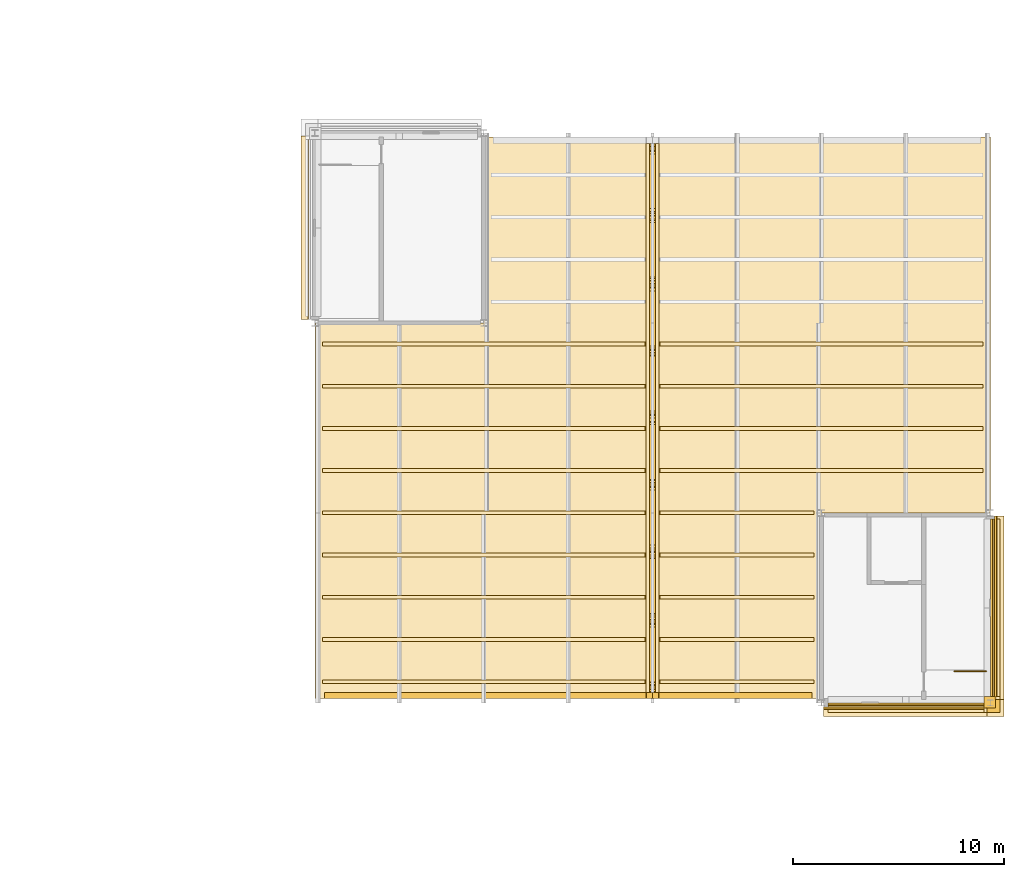
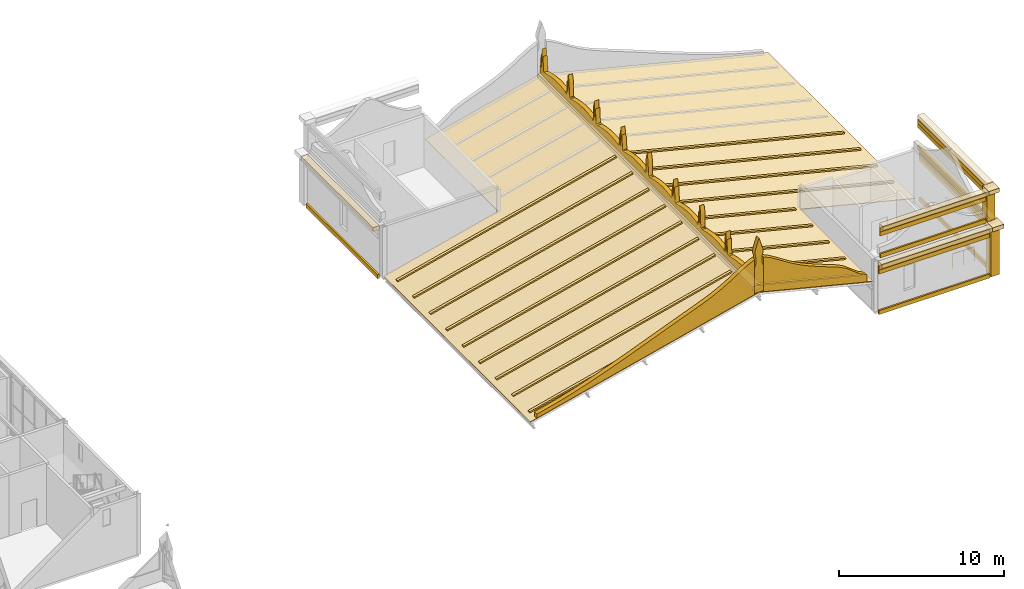
# One storey, part 106 of 111: 47 coverings, 1 railing.
"""IFC4 building model written with IfcOpenShell, lengths in metres."""

from ifc_helpers import new_model, si_unit, direction, frame, origin, origin_2d, place, context, subcontext, project, spatial, polyline, rectangle, circle, outline, extrude, material, layer, layer_set, type_object, element, save


model = new_model("IFC4")

# Units and contexts
model_context = context("Model", 3, precision=1e-05, world=origin(), true_north=direction((0.0, 1.0)))
body_context = subcontext(model_context, "Body", "Model", "MODEL_VIEW")
ifc_project = project(units=[si_unit("LENGTHUNIT", "METRE"), si_unit("AREAUNIT", "SQUARE_METRE"), si_unit("VOLUMEUNIT", "CUBIC_METRE"), si_unit("PLANEANGLEUNIT", "RADIAN"), si_unit("MASSUNIT", "GRAM", prefix="KILO")], contexts=[model_context])

# Site, building, storey
site_placement = place(None, origin())
site = spatial("IfcSite", under=ifc_project, at=site_placement, CompositionType="ELEMENT")
building_placement = place(site_placement, origin())
building = spatial("IfcBuilding", under=site, at=building_placement, Name="Kallimachos Central Library", CompositionType="ELEMENT")
storey_placement = place(building_placement, frame((0.0, 0.0, 14.39990234375)))
storey = spatial("IfcBuildingStorey", under=building, at=storey_placement, Name="L03", CompositionType="ELEMENT", Elevation=14.39990234375)

# Coverings
ifc_material_1 = material(Name="Glazed ceramic tile on stone", Category="masonry")
ifc_layer_1 = layer(ifc_material_1, 0.300048828125)
ifc_layer_set_1 = layer_set([ifc_layer_1], Name="Ceramic gable crest 300")
covering_type_1 = type_object("IfcCoveringType", Name="Ceramic gable crest 300", PredefinedType="CLADDING", material=ifc_layer_set_1)
covering_1_placement = place(storey_placement, frame((138.449951171875, 87.199951171875, 0.152587890625), z_axis=(0.0, -1.0, 0.0), x_axis=(0.97011354067, 0.0, 0.242651433562)))
element("IfcCovering", 1, at=covering_1_placement, inside=storey, type_object=covering_type_1, Name="Gable crest south west", PredefinedType="CLADDING", context=body_context, shape_type="SweptSolid", body=[
    extrude(outline(polyline([(0.0, 0.0), (0.49602562143692464, -1.3877787807814457e-17), (0.9922880869999893, -5.924107264693168e-05), (1.4882544673642668, -0.00029608519878693285), (1.9842800888011916, -0.00029608519878693285), (2.4803057102381163, -0.00029608519878687733), (2.976331331675041, -0.00029608519878698836), (3.4723569531119653, -0.00029608519878698836), (3.968560177602383, -0.0005921703975738657), (4.464585799039307, -0.0005921703975739767), (4.960611420476233, -0.0005921703975737547), (5.456873886039297, -0.0006514114702207419), (5.952840266403575, -0.0008882555963609651), (6.448865887840499, -0.000888255596360743), (6.944891509277424, -0.0008882555963609651), (7.4409171307143485, -0.0008882555963609651), (7.936942752151274, -0.0008882555963609651), (8.432968373588198, -0.0008882555963609651), (8.929171598078614, -0.0011843407951479534), (9.42519721951554, -0.0011843407951479534), (9.921222840952465, -0.0011843407951475093), (10.41748530651553, -0.0012435818677944965), (10.913510927952453, -0.0012435818677949406), (11.409477308316731, -0.0014804259939347197), (11.905502929753656, -0.0014804259939347197), (12.40152855119058, -0.0014804259939347197), (12.897554172627506, -0.0014804259939351638), (13.393520552991783, -0.001717270120074943), (13.889842259627494, -0.001539667066581707), (14.385808639991772, -0.0017765111927219301), (14.881834261428697, -0.0017765111927219301), (15.378096726991762, -0.0018357522653684732), (15.719340085664944, -0.0018764880130914818), (16.345577464615303, 2.501802769413191), (15.988990668126576, 2.440500876490646), (15.455702532159197, 2.2925325387257725), (14.913646597275633, 2.1085046527149673), (14.371649903464716, 1.924713610830302), (13.835577437082936, 1.7656135991368465), (13.307857841779922, 1.6389019916519292), (12.787247175194533, 1.540611679303816), (12.271435035493544, 1.4615057411730459), (11.758170261916373, 1.392584100466296), (11.245853345501551, 1.327451965777787), (10.733536429086731, 1.2623198310892785), (10.22080494532783, 1.1965364050949963), (9.707954859259184, 1.129272673271227), (9.194867808899952, 1.0610615649428974), (8.681366191196641, 0.9921991653087949), (8.16810141761947, 0.9232775246020455), (7.655014367260238, 0.8550664162737165), (7.142223522264241, 0.7880395285760871), (6.629847364776773, 0.7226705497614381), (6.1181228590884205, 0.6599068563343296), (5.607109246271831, 0.5999852924209015), (5.096747405418805, 0.5436756314722206), (4.587629506926914, 0.4913330795952735), (4.079755670960611, 0.44396425436726694), (3.5728890533937516, 0.40162839686084795), (3.0677995478418514, 0.3653912455614232), (2.5643687923240646, 0.3357857297939191), (2.0626560279130377, 0.3130486936844759), (1.5627204956814178, 0.29741698135923383), (1.0651546063556738, 0.29125903407959297), (0.5688328997199623, 0.2910814310260998), (0.07280727828303767, 0.29108143102609985), (0.0, 0.0)])), origin(), (0.0, 0.0, -1.0), 0.300048828125),
])
covering_2_placement = place(storey_placement, frame((154.300048828125, 87.199951171875, 3.965087890625), z_axis=(0.0, -1.0, 0.0), x_axis=(0.970142500145, 0.0, -0.242535625036)))
element("IfcCovering", 2, at=covering_2_placement, inside=storey, type_object=covering_type_1, Name="Gable crest south east", PredefinedType="CLADDING", context=body_context, shape_type="SweptSolid", body=[
    extrude(outline(polyline([(0.0, 0.0), (0.03221176270013797, 0.0), (0.528237380602814, -5.9212799081137524e-05), (1.02426299850549, -0.00011842559816227505), (1.5202886164081661, -0.00017763839724344033), (2.0162550215117614, 0.0), (2.5125174906107617, 0.0), (3.008543108513438, -5.921279908116528e-05), (3.5045687264161143, -0.00011842559816221954), (4.000771982716033, 0.00011842559816221954), (4.49679760061871, 5.92127990812763e-05), (4.992823218521385, 0.0), (5.4888488364240615, -5.92127990812763e-05), (5.9848744543267385, -0.00011842559816233056), (6.480840859430333, 5.921279908105426e-05), (6.977103328529333, 5.921279908105426e-05), (7.473128946432009, 0.0), (7.341202830079238, 0.5277044654110838), (6.817820899001077, 0.6371889309121044), (6.2639443763961316, 0.8676451449358854), (5.706337447449075, 1.1140296019124922), (5.179106684430639, 1.238909395174608), (4.66673833398157, 1.3043395381592633), (4.154488409130663, 1.3692959787512695), (3.641764781887106, 1.436147228913872), (3.126909493876629, 1.5105185045597789), (2.608383012323121, 1.6005811719621867), (2.0835799740670127, 1.715750066174996), (1.5504871439395456, 1.8630715102888624), (1.0104072035205043, 2.039348013153404), (0.4674850487455685, 2.226993373441524), (-0.07010795411206505, 2.3933221260604354), (-0.59266090600309, 2.499490674812912), (-0.6259384990866884, 2.5037539963467537), (0.0, 0.0)])), origin(), (0.0, 0.0, -1.0), 0.300048828125),
])
ifc_material_2 = material(Name="Glazed ceramic tile on stone", Category="masonry")
ifc_layer_2 = layer(ifc_material_2, 0.300048828125)
ifc_layer_set_2 = layer_set([ifc_layer_2], Name="Ceramic ridge crest 300")
covering_type_2 = type_object("IfcCoveringType", Name="Ceramic ridge crest 300", PredefinedType="CLADDING", material=ifc_layer_set_2)
covering_3_placement = place(storey_placement, frame((154.14990234375, 87.5, 4.340087890625), z_axis=(1.0, 0.0, 0.0), x_axis=(0.0, 1.0, 0.0)))
element("IfcCovering", 3, at=covering_3_placement, inside=storey, type_object=covering_type_2, Name="Ridge crest", PredefinedType="CLADDING", context=body_context, shape_type="SweptSolid", body=[
    extrude(outline(polyline([(0.0, 0.0), (26.0, 0.0), (26.0, 0.46826171875), (25.969970703125, 0.39990234375), (25.8701171875, 1.449951171875), (25.83740234375, 0.431640625), (25.75, 1.949951171875), (25.675048828125, 0.392822265625), (25.6298828125, 1.449951171875), (25.530029296875, 0.39990234375), (25.512451171875, 0.35302734375), (25.35009765625, 0.38671875), (25.1875, 0.42578125), (25.02490234375, 0.462890625), (24.862548828125, 0.496826171875), (24.699951171875, 0.52734375), (24.53759765625, 0.55322265625), (24.375, 0.57373046875), (24.21240234375, 0.588623046875), (24.050048828125, 0.597412109375), (23.887451171875, 0.60009765625), (23.72509765625, 0.595947265625), (23.5625, 0.585693359375), (23.39990234375, 0.569580078125), (23.237548828125, 0.547607421875), (23.074951171875, 0.520751953125), (22.91259765625, 0.489501953125), (22.782470703125, 0.39990234375), (22.75, 0.45458984375), (22.6826171875, 1.449951171875), (22.58740234375, 0.4169921875), (22.5625, 1.949951171875), (22.4423828125, 1.449951171875), (22.425048828125, 0.377685546875), (22.342529296875, 0.39990234375), (22.262451171875, 0.3623046875), (22.10009765625, 0.402099609375), (21.9375, 0.4404296875), (21.77490234375, 0.476318359375), (21.612548828125, 0.509033203125), (21.449951171875, 0.537841796875), (21.28759765625, 0.561767578125), (21.125, 0.580322265625), (20.96240234375, 0.5927734375), (20.800048828125, 0.59912109375), (20.637451171875, 0.59912109375), (20.47509765625, 0.5927734375), (20.3125, 0.580322265625), (20.14990234375, 0.561767578125), (19.987548828125, 0.537841796875), (19.824951171875, 0.509033203125), (19.66259765625, 0.476318359375), (19.594970703125, 0.39990234375), (19.5, 0.4404296875), (19.4951171875, 1.449951171875), (19.375, 1.949951171875), (19.33740234375, 0.402099609375), (19.2548828125, 1.449951171875), (19.175048828125, 0.3623046875), (19.155029296875, 0.39990234375), (19.012451171875, 0.377685546875), (18.85009765625, 0.4169921875), (18.6875, 0.45458984375), (18.52490234375, 0.489501953125), (18.362548828125, 0.520751953125), (18.199951171875, 0.547607421875), (18.03759765625, 0.569580078125), (17.875, 0.585693359375), (17.71240234375, 0.595947265625), (17.550048828125, 0.60009765625), (17.387451171875, 0.597412109375), (17.22509765625, 0.588623046875), (17.0625, 0.57373046875), (16.89990234375, 0.55322265625), (16.737548828125, 0.52734375), (16.574951171875, 0.496826171875), (16.41259765625, 0.462890625), (16.407470703125, 0.39990234375), (16.3076171875, 1.449951171875), (16.25, 0.42578125), (16.1875, 1.949951171875), (16.08740234375, 0.38671875), (16.0673828125, 1.449951171875), (15.967529296875, 0.39990234375), (15.925048828125, 0.35302734375), (15.762451171875, 0.392822265625), (15.60009765625, 0.431640625), (15.4375, 0.46826171875), (15.27490234375, 0.501953125), (15.112548828125, 0.531494140625), (14.949951171875, 0.556640625), (14.78759765625, 0.576416015625), (14.625, 0.590576171875), (14.46240234375, 0.598388671875), (14.300048828125, 0.599853515625), (14.137451171875, 0.594970703125), (13.97509765625, 0.583740234375), (13.8125, 0.56640625), (13.64990234375, 0.543701171875), (13.487548828125, 0.51611328125), (13.324951171875, 0.484130859375), (13.219970703125, 0.39990234375), (13.16259765625, 0.448974609375), (13.1201171875, 1.449951171875), (13.0, 1.949951171875), (12.8798828125, 1.449951171875), (12.83740234375, 0.37158203125), (12.780029296875, 0.39990234375), (12.675048828125, 0.368408203125), (12.512451171875, 0.407958984375), (12.35009765625, 0.446044921875), (12.1875, 0.481689453125), (12.02490234375, 0.513916015625), (11.862548828125, 0.541748046875), (11.699951171875, 0.56494140625), (11.53759765625, 0.58251953125), (11.375, 0.59423828125), (11.21240234375, 0.599609375), (11.050048828125, 0.5986328125), (10.887451171875, 0.59130859375), (10.72509765625, 0.577880859375), (10.5625, 0.558349609375), (10.39990234375, 0.53369140625), (10.237548828125, 0.50439453125), (10.074951171875, 0.470947265625), (10.032470703125, 0.39990234375), (9.9326171875, 1.449951171875), (9.91259765625, 0.4345703125), (9.8125, 1.949951171875), (9.75, 0.39599609375), (9.6923828125, 1.449951171875), (9.592529296875, 0.39990234375), (9.58740234375, 0.356201171875), (9.425048828125, 0.3837890625), (9.262451171875, 0.4228515625), (9.10009765625, 0.460205078125), (8.9375, 0.494384765625), (8.77490234375, 0.525146484375), (8.612548828125, 0.55126953125), (8.449951171875, 0.572509765625), (8.28759765625, 0.587890625), (8.125, 0.596923828125), (7.96240234375, 0.60009765625), (7.800048828125, 0.5966796875), (7.637451171875, 0.5869140625), (7.47509765625, 0.571044921875), (7.3125, 0.549560546875), (7.14990234375, 0.52294921875), (6.987548828125, 0.491943359375), (6.844970703125, 0.39990234375), (6.824951171875, 0.457275390625), (6.7451171875, 1.449951171875), (6.66259765625, 0.419921875), (6.625, 1.949951171875), (6.5048828125, 1.449951171875), (6.5, 0.380615234375), (6.405029296875, 0.39990234375), (6.33740234375, 0.359130859375), (6.175048828125, 0.39892578125), (6.012451171875, 0.4375), (5.85009765625, 0.4736328125), (5.6875, 0.506591796875), (5.52490234375, 0.535888671875), (5.362548828125, 0.56005859375), (5.199951171875, 0.5791015625), (5.03759765625, 0.592041015625), (4.875, 0.598876953125), (4.71240234375, 0.599365234375), (4.550048828125, 0.593505859375), (4.387451171875, 0.581298828125), (4.22509765625, 0.5634765625), (4.0625, 0.539794921875), (3.89990234375, 0.511474609375), (3.737548828125, 0.47900390625), (3.657470703125, 0.39990234375), (3.574951171875, 0.443115234375), (3.5576171875, 1.449951171875), (3.4375, 1.949951171875), (3.41259765625, 0.405029296875), (3.3173828125, 1.449951171875), (3.25, 0.365478515625), (3.217529296875, 0.39990234375), (3.08740234375, 0.37451171875), (2.925048828125, 0.4140625), (2.762451171875, 0.45166015625), (2.60009765625, 0.48681640625), (2.4375, 0.518310546875), (2.27490234375, 0.545654296875), (2.112548828125, 0.568115234375), (1.949951171875, 0.584716796875), (1.78759765625, 0.595458984375), (1.625, 0.599853515625), (1.46240234375, 0.597900390625), (1.300048828125, 0.589599609375), (1.137451171875, 0.5751953125), (0.97509765625, 0.554931640625), (0.8125, 0.529541015625), (0.64990234375, 0.49951171875), (0.487548828125, 0.465576171875), (0.469970703125, 0.39990234375), (0.3701171875, 1.449951171875), (0.324951171875, 0.4287109375), (0.25, 1.949951171875), (0.16259765625, 0.389892578125), (0.1298828125, 1.449951171875), (0.030029296875, 0.39990234375), (0.0, 0.35009765625), (0.0, 0.0)])), origin(), (0.0, 0.0, -1.0), 0.300048828125),
])
ifc_material_3 = material(Name="Glazed ceramic ridge tile")
ifc_layer_3 = layer(ifc_material_3, 0.300048828125)
ifc_layer_set_3 = layer_set([ifc_layer_3], Name="Ceramic ridge tile 600")
covering_type_3 = type_object("IfcCoveringType", Name="Ceramic ridge tile 600", PredefinedType="MOLDING", material=ifc_layer_set_3)
covering_4_placement = place(storey_placement, frame((154.0, 100.5, 4.0400390625), z_axis=(0.0, 0.0, 1.0), x_axis=(1.0, 0.0, 0.0)))
element("IfcCovering", 4, at=covering_4_placement, inside=storey, type_object=covering_type_3, Name="Ridge tile", PredefinedType="MOLDING", context=body_context, shape_type="SweptSolid", body=[
    extrude(rectangle(XDim=0.60009765625, YDim=26.0, at=origin_2d()), origin(), (0.0, 0.0, 1.0), 0.300048828125),
])
ifc_material_4 = material(Name="Glazed ceramic roll tile")
ifc_layer_4 = layer(ifc_material_4, 0.10009765625)
ifc_layer_set_4 = layer_set([ifc_layer_4], Name="Ceramic roll tile rib 180")
covering_type_4 = type_object("IfcCoveringType", Name="Ceramic roll tile rib 180", PredefinedType="ROOFING", material=ifc_layer_set_4)
for number, where, z_axis, x_axis, name in (
    (5, (138.35009765625, 87.909912109375, 0.230712890625), (-0.242535625036, 0.0, 0.970142500145), (0.970142500145, 0.0, 0.242535625036), "Roll tile rib"),
    (6, (138.35009765625, 89.909912109375, 0.230712890625), (-0.242535625036, 0.0, 0.970142500145), (0.970142500145, 0.0, 0.242535625036), "Roll tile rib"),
    (7, (138.35009765625, 91.909912109375, 0.230712890625), (-0.242535625036, 0.0, 0.970142500145), (0.970142500145, 0.0, 0.242535625036), "Roll tile rib"),
    (8, (138.35009765625, 93.909912109375, 0.230712890625), (-0.242535625036, 0.0, 0.970142500145), (0.970142500145, 0.0, 0.242535625036), "Roll tile rib"),
    (9, (138.35009765625, 95.909912109375, 0.230712890625), (-0.242535625036, 0.0, 0.970142500145), (0.970142500145, 0.0, 0.242535625036), "Roll tile rib"),
    (10, (138.35009765625, 97.909912109375, 0.230712890625), (-0.242535625036, 0.0, 0.970142500145), (0.970142500145, 0.0, 0.242535625036), "Roll tile rib"),
    (11, (138.35009765625, 99.909912109375, 0.230712890625), (-0.242535625036, 0.0, 0.970142500145), (0.970142500145, 0.0, 0.242535625036), "Roll tile rib"),
    (12, (138.35009765625, 101.909912109375, 0.230712890625), (-0.242535625036, 0.0, 0.970142500145), (0.970142500145, 0.0, 0.242535625036), "Roll tile rib"),
    (13, (138.35009765625, 103.909912109375, 0.230712890625), (-0.242535625036, 0.0, 0.970142500145), (0.970142500145, 0.0, 0.242535625036), "Roll tile rib"),
):
    element("IfcCovering", number, at=place(storey_placement, frame(where, z_axis=z_axis, x_axis=x_axis)), inside=storey, type_object=covering_type_4, Name=name, PredefinedType="ROOFING", context=body_context, shape_type="SweptSolid", body=[
        extrude(outline(polyline([(0.0, 0.0), (15.770677694470676, 0.0), (15.770677694470676, 0.18017578125), (0.0, 0.18017578125), (0.0, 0.0)])), origin(), (0.0, 0.0, -1.0), 0.10009765625),
    ])
for number, where, z_axis, x_axis, name in (
    (14, (154.35009765625, 87.909912109375, 4.0556640625), (0.242535625036, 0.0, 0.970142500145), (0.970142500145, 0.0, -0.242535625036), "Roll tile rib"),
    (15, (154.35009765625, 89.909912109375, 4.0556640625), (0.242535625036, 0.0, 0.970142500145), (0.970142500145, 0.0, -0.242535625036), "Roll tile rib"),
    (16, (154.35009765625, 91.909912109375, 4.0556640625), (0.242535625036, 0.0, 0.970142500145), (0.970142500145, 0.0, -0.242535625036), "Roll tile rib"),
    (17, (154.35009765625, 93.909912109375, 4.0556640625), (0.242535625036, 0.0, 0.970142500145), (0.970142500145, 0.0, -0.242535625036), "Roll tile rib"),
    (18, (154.35009765625, 95.909912109375, 4.0556640625), (0.242535625036, 0.0, 0.970142500145), (0.970142500145, 0.0, -0.242535625036), "Roll tile rib"),
):
    element("IfcCovering", number, at=place(storey_placement, frame(where, z_axis=z_axis, x_axis=x_axis)), inside=storey, type_object=covering_type_4, Name=name, PredefinedType="ROOFING", context=body_context, shape_type="SweptSolid", body=[
        extrude(outline(polyline([(0.0, 0.0), (7.5244664432353545, 0.0), (7.5244664432353545, 0.18017578125), (0.0, 0.18017578125), (0.0, 0.0)])), origin(), (0.0, 0.0, -1.0), 0.10009765625),
    ])
for number, where, z_axis, x_axis, name in (
    (19, (154.35009765625, 97.909912109375, 4.0556640625), (0.242535625036, 0.0, 0.970142500145), (0.970142500145, 0.0, -0.242535625036), "Roll tile rib"),
    (20, (154.35009765625, 99.909912109375, 4.0556640625), (0.242535625036, 0.0, 0.970142500145), (0.970142500145, 0.0, -0.242535625036), "Roll tile rib"),
    (21, (154.35009765625, 101.909912109375, 4.0556640625), (0.242535625036, 0.0, 0.970142500145), (0.970142500145, 0.0, -0.242535625036), "Roll tile rib"),
    (22, (154.35009765625, 103.909912109375, 4.0556640625), (0.242535625036, 0.0, 0.970142500145), (0.970142500145, 0.0, -0.242535625036), "Roll tile rib"),
):
    element("IfcCovering", number, at=place(storey_placement, frame(where, z_axis=z_axis, x_axis=x_axis)), inside=storey, type_object=covering_type_4, Name=name, PredefinedType="ROOFING", context=body_context, shape_type="SweptSolid", body=[
        extrude(outline(polyline([(0.0, 0.0), (15.770677694470676, 0.0), (15.770677694470676, 0.18017578125), (0.0, 0.18017578125), (0.0, 0.0)])), origin(), (0.0, 0.0, -1.0), 0.10009765625),
    ])
ifc_material_5 = material(Name="Glazed ceramic frieze, green")
ifc_layer_5 = layer(ifc_material_5, 0.10009765625)
ifc_layer_set_5 = layer_set([ifc_layer_5], Name="Glazed ceramic frieze, green")
covering_type_5 = type_object("IfcCoveringType", Name="Glazed ceramic frieze, green", PredefinedType="CLADDING", material=ifc_layer_set_5)
covering_5_placement = place(storey_placement, frame((170.25, 91.5, 3.1298828125), z_axis=(0.0, 0.0, 1.0), x_axis=(1.0, 0.0, 0.0)))
element("IfcCovering", 23, at=covering_5_placement, inside=storey, type_object=covering_type_5, Name="Glazed ceramic frieze, green -L03-002", PredefinedType="CLADDING", context=body_context, shape_type="SweptSolid", body=[
    extrude(rectangle(XDim=0.10009765625, YDim=8.699951171875, at=origin_2d()), origin(), (0.0, 0.0, 1.0), 0.300048828125),
])
covering_6_placement = place(storey_placement, frame((165.97509765625, 86.75, 3.1298828125), z_axis=(0.0, 0.0, 1.0), x_axis=(1.0, 0.0, 0.0)))
element("IfcCovering", 24, at=covering_6_placement, inside=storey, type_object=covering_type_5, Name="Glazed ceramic frieze, green -L03-003", PredefinedType="CLADDING", context=body_context, shape_type="SweptSolid", body=[
    extrude(rectangle(XDim=7.75, YDim=0.10009765625, at=origin_2d()), origin(), (0.0, 0.0, 1.0), 0.300048828125),
])
covering_7_placement = place(storey_placement, frame((170.050048828125, 91.5, 5.7802734375), z_axis=(0.0, 0.0, 1.0), x_axis=(1.0, 0.0, 0.0)))
element("IfcCovering", 25, at=covering_7_placement, inside=storey, type_object=covering_type_5, Name="Glazed ceramic frieze, green -L03-018", PredefinedType="CLADDING", context=body_context, shape_type="SweptSolid", body=[
    extrude(rectangle(XDim=0.10009765625, YDim=8.39990234375, at=origin_2d()), origin(), (0.0, 0.0, 1.0), 0.300048828125),
])
covering_8_placement = place(storey_placement, frame((166.0, 86.949951171875, 5.751953125), z_axis=(0.0, 0.0, 1.0), x_axis=(1.0, 0.0, 0.0)))
element("IfcCovering", 26, at=covering_8_placement, inside=storey, type_object=covering_type_5, Name="Glazed ceramic frieze, green -L03-019", PredefinedType="CLADDING", context=body_context, shape_type="SweptSolid", body=[
    extrude(rectangle(XDim=7.39990234375, YDim=0.10009765625, at=origin_2d()), origin(), (0.0, 0.0, 1.0), 0.300048828125),
])
ifc_material_6 = material(Name="Glazed ceramic frieze, ochre")
ifc_layer_6 = layer(ifc_material_6, 0.10009765625)
ifc_layer_set_6 = layer_set([ifc_layer_6], Name="Glazed ceramic frieze, ochre")
covering_type_6 = type_object("IfcCoveringType", Name="Glazed ceramic frieze, ochre", PredefinedType="CLADDING", material=ifc_layer_set_6)
covering_9_placement = place(storey_placement, frame((170.25, 91.5, 2.830078125), z_axis=(0.0, 0.0, 1.0), x_axis=(1.0, 0.0, 0.0)))
element("IfcCovering", 27, at=covering_9_placement, inside=storey, type_object=covering_type_6, Name="Glazed ceramic frieze, ochre -L03-002", PredefinedType="CLADDING", context=body_context, shape_type="SweptSolid", body=[
    extrude(rectangle(XDim=0.10009765625, YDim=8.699951171875, at=origin_2d()), origin(), (0.0, 0.0, 1.0), 0.300048828125),
])
covering_10_placement = place(storey_placement, frame((165.97509765625, 86.75, 2.830078125), z_axis=(0.0, 0.0, 1.0), x_axis=(1.0, 0.0, 0.0)))
element("IfcCovering", 28, at=covering_10_placement, inside=storey, type_object=covering_type_6, Name="Glazed ceramic frieze, ochre -L03-003", PredefinedType="CLADDING", context=body_context, shape_type="SweptSolid", body=[
    extrude(rectangle(XDim=7.75, YDim=0.10009765625, at=origin_2d()), origin(), (0.0, 0.0, 1.0), 0.300048828125),
])
covering_11_placement = place(storey_placement, frame((170.050048828125, 91.5, 5.47998046875), z_axis=(0.0, 0.0, 1.0), x_axis=(1.0, 0.0, 0.0)))
element("IfcCovering", 29, at=covering_11_placement, inside=storey, type_object=covering_type_6, Name="Glazed ceramic frieze, ochre -L03-018", PredefinedType="CLADDING", context=body_context, shape_type="SweptSolid", body=[
    extrude(rectangle(XDim=0.10009765625, YDim=8.39990234375, at=origin_2d()), origin(), (0.0, 0.0, 1.0), 0.300048828125),
])
covering_12_placement = place(storey_placement, frame((166.0, 86.949951171875, 5.45166015625), z_axis=(0.0, 0.0, 1.0), x_axis=(1.0, 0.0, 0.0)))
element("IfcCovering", 30, at=covering_12_placement, inside=storey, type_object=covering_type_6, Name="Glazed ceramic frieze, ochre -L03-019", PredefinedType="CLADDING", context=body_context, shape_type="SweptSolid", body=[
    extrude(rectangle(XDim=7.39990234375, YDim=0.10009765625, at=origin_2d()), origin(), (0.0, 0.0, 1.0), 0.300048828125),
])
ifc_material_7 = material(Name="Glazed ceramic tile")
ifc_layer_7 = layer(ifc_material_7, 0.0400390625)
ifc_layer_set_7 = layer_set([ifc_layer_7], Name="Polychrome glazed ceramic roof tile")
covering_type_7 = type_object("IfcCoveringType", Name="Polychrome glazed ceramic roof tile", PredefinedType="ROOFING", material=ifc_layer_set_7)
covering_13_placement = place(storey_placement, frame((138.0, 87.199951171875, 0.0400390625), z_axis=(-0.242535625036, 0.0, 0.970142500145), x_axis=(0.970142500145, 0.0, 0.242535625036)))
element("IfcCovering", 31, at=covering_13_placement, inside=storey, type_object=covering_type_7, Name="Polychrome glazed ceramic roof tiles west", PredefinedType="ROOFING", context=body_context, shape_type="SweptSolid", body=[
    extrude(outline(polyline([(0.0, 0.0), (16.492422502470642, 0.0), (16.492422502470642, 26.60009765625), (8.246211251235321, 26.60009765625), (8.246211251235321, 17.800048828125), (0.0, 17.800048828125), (0.0, 0.0)])), origin(), (0.0, 0.0, -1.0), 0.0400390625),
])
covering_14_placement = place(storey_placement, frame((154.0, 87.199951171875, 4.0400390625), z_axis=(0.242535625036, 0.0, 0.970142500145), x_axis=(0.970142500145, 0.0, -0.242535625036)))
element("IfcCovering", 32, at=covering_14_placement, inside=storey, type_object=covering_type_7, Name="Polychrome glazed ceramic roof tiles east", PredefinedType="ROOFING", context=body_context, shape_type="SweptSolid", body=[
    extrude(outline(polyline([(0.0, 0.0), (8.246211251235321, 0.0), (8.246211251235321, 8.800048828125), (16.492422502470642, 8.800048828125), (16.492422502470642, 26.60009765625), (0.0, 26.60009765625), (0.0, 0.0)])), origin(), (0.0, 0.0, -1.0), 0.0400390625),
])

# Railing
ifc_material_8 = material(Name="Steel S355J2", Category="steel")
railing_type = type_object("IfcRailingType", Name="Stair guard 1100", PredefinedType="GUARDRAIL", material=ifc_material_8)
railing_placement = place(storey_placement, frame((169.800048828125, 88.5, 0.0)))
element("IfcRailing", 33, at=railing_placement, inside=storey, type_object=railing_type, Name="L03 ST7 top well guard 1", PredefinedType="GUARDRAIL", context=body_context, shape_type="SweptSolid", body=[
    extrude(circle(Radius=0.02392578125, at=origin_2d()), frame((0.0, 0.0, 1.076171875), z_axis=(-1.0, 0.0, 0.0), x_axis=(0.0, -1.0, 0.0)), (0.0, 0.0, 1.0), 1.5),
    extrude(circle(Radius=0.02099609375, at=origin_2d()), origin(), (0.0, 0.0, 1.0), 1.052001953125),
    extrude(circle(Radius=0.02099609375, at=origin_2d()), frame((-0.75, 0.0, 0.0)), (0.0, 0.0, 1.0), 1.052001953125),
    extrude(circle(Radius=0.02099609375, at=origin_2d()), frame((-1.5, 0.0, 0.0)), (0.0, 0.0, 1.0), 1.052001953125),
])

# Coverings
ifc_material_9 = material(Name="Pentelic marble attic moulding", Category="masonry")
ifc_layer_8 = layer(ifc_material_9, 0.1201171875)
ifc_layer_set_8 = layer_set([ifc_layer_8], Name="Stone attic moulding 300")
covering_type_8 = type_object("IfcCoveringType", Name="Stone attic moulding 300", PredefinedType="MOLDING", material=ifc_layer_set_8)
for number, where, z_axis, x_axis, name in (
    (34, (137.739990234375, 109.5, -0.14990234375), (0.0, 0.0, 1.0), (1.0, 0.0, 0.0), "Stone attic moulding 300 -L03-001"),
    (35, (170.260009765625, 91.5, -0.14990234375), (0.0, 0.0, 1.0), (1.0, 0.0, 0.0), "Stone attic moulding 300 -L03-002"),
):
    element("IfcCovering", number, at=place(storey_placement, frame(where, z_axis=z_axis, x_axis=x_axis)), inside=storey, type_object=covering_type_8, Name=name, PredefinedType="MOLDING", context=body_context, shape_type="SweptSolid", body=[
        extrude(rectangle(XDim=0.1201171875, YDim=8.699951171875, at=origin_2d()), origin(), (0.0, 0.0, 1.0), 0.300048828125),
    ])
covering_15_placement = place(storey_placement, frame((165.97509765625, 86.739990234375, -0.14990234375), z_axis=(0.0, 0.0, 1.0), x_axis=(1.0, 0.0, 0.0)))
element("IfcCovering", 36, at=covering_15_placement, inside=storey, type_object=covering_type_8, Name="Stone attic moulding 300 -L03-003", PredefinedType="MOLDING", context=body_context, shape_type="SweptSolid", body=[
    extrude(rectangle(XDim=7.75, YDim=0.1201171875, at=origin_2d()), origin(), (0.0, 0.0, 1.0), 0.300048828125),
])
covering_16_placement = place(storey_placement, frame((170.06005859375, 91.5, 3.85009765625), z_axis=(0.0, 0.0, 1.0), x_axis=(1.0, 0.0, 0.0)))
element("IfcCovering", 37, at=covering_16_placement, inside=storey, type_object=covering_type_8, Name="Stone attic moulding 300 -L03-018", PredefinedType="MOLDING", context=body_context, shape_type="SweptSolid", body=[
    extrude(rectangle(XDim=0.1201171875, YDim=8.39990234375, at=origin_2d()), origin(), (0.0, 0.0, 1.0), 0.300048828125),
])
covering_17_placement = place(storey_placement, frame((166.0, 86.93994140625, 3.85009765625), z_axis=(0.0, 0.0, 1.0), x_axis=(1.0, 0.0, 0.0)))
element("IfcCovering", 38, at=covering_17_placement, inside=storey, type_object=covering_type_8, Name="Stone attic moulding 300 -L03-019", PredefinedType="MOLDING", context=body_context, shape_type="SweptSolid", body=[
    extrude(rectangle(XDim=7.39990234375, YDim=0.1201171875, at=origin_2d()), origin(), (0.0, 0.0, 1.0), 0.300048828125),
])
ifc_material_10 = material(Name="Pentelic marble cornice", Category="masonry")
ifc_layer_9 = layer(ifc_material_10, 0.449951171875)
ifc_layer_set_9 = layer_set([ifc_layer_9], Name="Stone cornice 450")
covering_type_9 = type_object("IfcCoveringType", Name="Stone cornice 450", PredefinedType="MOLDING", material=ifc_layer_set_9)
for number, where, z_axis, x_axis, name in (
    (39, (137.574951171875, 109.5, 3.4501953125), (0.0, 0.0, 1.0), (1.0, 0.0, 0.0), "Stone cornice 450 -L03-001"),
    (40, (170.425048828125, 91.5, 3.4501953125), (0.0, 0.0, 1.0), (1.0, 0.0, 0.0), "Stone cornice 450 -L03-002"),
):
    element("IfcCovering", number, at=place(storey_placement, frame(where, z_axis=z_axis, x_axis=x_axis)), inside=storey, type_object=covering_type_9, Name=name, PredefinedType="MOLDING", context=body_context, shape_type="SweptSolid", body=[
        extrude(rectangle(XDim=0.449951171875, YDim=8.699951171875, at=origin_2d()), origin(), (0.0, 0.0, 1.0), 0.300048828125),
    ])
covering_18_placement = place(storey_placement, frame((165.97509765625, 86.574951171875, 3.4501953125), z_axis=(0.0, 0.0, 1.0), x_axis=(1.0, 0.0, 0.0)))
element("IfcCovering", 41, at=covering_18_placement, inside=storey, type_object=covering_type_9, Name="Stone cornice 450 -L03-003", PredefinedType="MOLDING", context=body_context, shape_type="SweptSolid", body=[
    extrude(rectangle(XDim=7.75, YDim=0.449951171875, at=origin_2d()), origin(), (0.0, 0.0, 1.0), 0.300048828125),
])
covering_19_placement = place(storey_placement, frame((170.22509765625, 91.5, 6.10009765625), z_axis=(0.0, 0.0, 1.0), x_axis=(1.0, 0.0, 0.0)))
element("IfcCovering", 42, at=covering_19_placement, inside=storey, type_object=covering_type_9, Name="Stone cornice 450 -L03-018", PredefinedType="MOLDING", context=body_context, shape_type="SweptSolid", body=[
    extrude(rectangle(XDim=0.449951171875, YDim=8.39990234375, at=origin_2d()), origin(), (0.0, 0.0, 1.0), 0.300048828125),
])
covering_20_placement = place(storey_placement, frame((166.0, 86.77490234375, 6.07177734375), z_axis=(0.0, 0.0, 1.0), x_axis=(1.0, 0.0, 0.0)))
element("IfcCovering", 43, at=covering_20_placement, inside=storey, type_object=covering_type_9, Name="Stone cornice 450 -L03-019", PredefinedType="MOLDING", context=body_context, shape_type="SweptSolid", body=[
    extrude(rectangle(XDim=7.39990234375, YDim=0.449951171875, at=origin_2d()), origin(), (0.0, 0.0, 1.0), 0.300048828125),
])
covering_21_placement = place(storey_placement, frame((170.25, 86.75, 3.4501953125), z_axis=(0.0, 0.0, 1.0), x_axis=(1.0, 0.0, 0.0)))
element("IfcCovering", 44, at=covering_21_placement, inside=storey, type_object=covering_type_9, Name="Stone cornice 450 corner", PredefinedType="MOLDING", context=body_context, shape_type="SweptSolid", body=[
    extrude(rectangle(XDim=0.800048828125, YDim=0.800048828125, at=origin_2d()), origin(), (0.0, 0.0, 1.0), 0.300048828125),
])
covering_22_placement = place(storey_placement, frame((170.074951171875, 86.925048828125, 6.07177734375), z_axis=(0.0, 0.0, 1.0), x_axis=(1.0, 0.0, 0.0)))
element("IfcCovering", 45, at=covering_22_placement, inside=storey, type_object=covering_type_9, Name="Stone cornice 450 corner", PredefinedType="MOLDING", context=body_context, shape_type="SweptSolid", body=[
    extrude(rectangle(XDim=0.75, YDim=0.75, at=origin_2d()), origin(), (0.0, 0.0, 1.0), 0.300048828125),
])
ifc_material_11 = material(Name="Pentelic marble pinnacle", Category="masonry")
ifc_layer_10 = layer(ifc_material_11, 0.39990234375)
ifc_layer_set_10 = layer_set([ifc_layer_10], Name="Stone gable finial 400")
covering_type_10 = type_object("IfcCoveringType", Name="Stone gable finial 400", PredefinedType="MOLDING", material=ifc_layer_set_10)
covering_23_placement = place(storey_placement, frame((154.0, 87.199951171875, 4.0400390625), z_axis=(0.0, -1.0, 0.0), x_axis=(1.0, 0.0, 0.0)))
element("IfcCovering", 46, at=covering_23_placement, inside=storey, type_object=covering_type_10, Name="Gable finial south", PredefinedType="MOLDING", context=body_context, shape_type="SweptSolid", body=[
    extrude(outline(polyline([(0.0, 0.0), (0.300048828125, 0.0), (0.300048828125, 1.900146484375), (0.199951171875, 2.199951171875), (0.199951171875, 2.60009765625), (0.280029296875, 2.85009765625), (0.280029296875, 3.10009765625), (0.0, 4.0), (-0.280029296875, 3.10009765625), (-0.280029296875, 2.85009765625), (-0.199951171875, 2.60009765625), (-0.199951171875, 2.199951171875), (-0.300048828125, 1.900146484375), (-0.300048828125, 0.0), (0.0, 0.0)])), origin(), (0.0, 0.0, -1.0), 0.300048828125),
])
ifc_material_12 = material(Name="Pentelic marble pilaster", Category="masonry")
ifc_layer_11 = layer(ifc_material_12, 0.25)
ifc_layer_set_11 = layer_set([ifc_layer_11], Name="Stone pilaster 250")
covering_type_11 = type_object("IfcCoveringType", Name="Stone pilaster 250", PredefinedType="CLADDING", material=ifc_layer_set_11)
covering_24_placement = place(storey_placement, frame((170.14990234375, 86.85009765625, 0.0), z_axis=(0.0, 0.0, 1.0), x_axis=(1.0, 0.0, 0.0)))
element("IfcCovering", 47, at=covering_24_placement, inside=storey, type_object=covering_type_11, Name="Stone pilaster 250 corner", PredefinedType="CLADDING", context=body_context, shape_type="SweptSolid", body=[
    extrude(rectangle(XDim=0.60009765625, YDim=0.60009765625, at=origin_2d()), origin(), (0.0, 0.0, 1.0), 3.449951171875),
])
covering_25_placement = place(storey_placement, frame((169.97509765625, 87.02490234375, 4.0), z_axis=(0.0, 0.0, 1.0), x_axis=(1.0, 0.0, 0.0)))
element("IfcCovering", 48, at=covering_25_placement, inside=storey, type_object=covering_type_11, Name="Stone pilaster 250 corner", PredefinedType="CLADDING", context=body_context, shape_type="SweptSolid", body=[
    extrude(rectangle(XDim=0.550048828125, YDim=0.550048828125, at=origin_2d()), origin(), (0.0, 0.0, 1.0), 2.07177734375),
])

save(model, "model.ifc")
